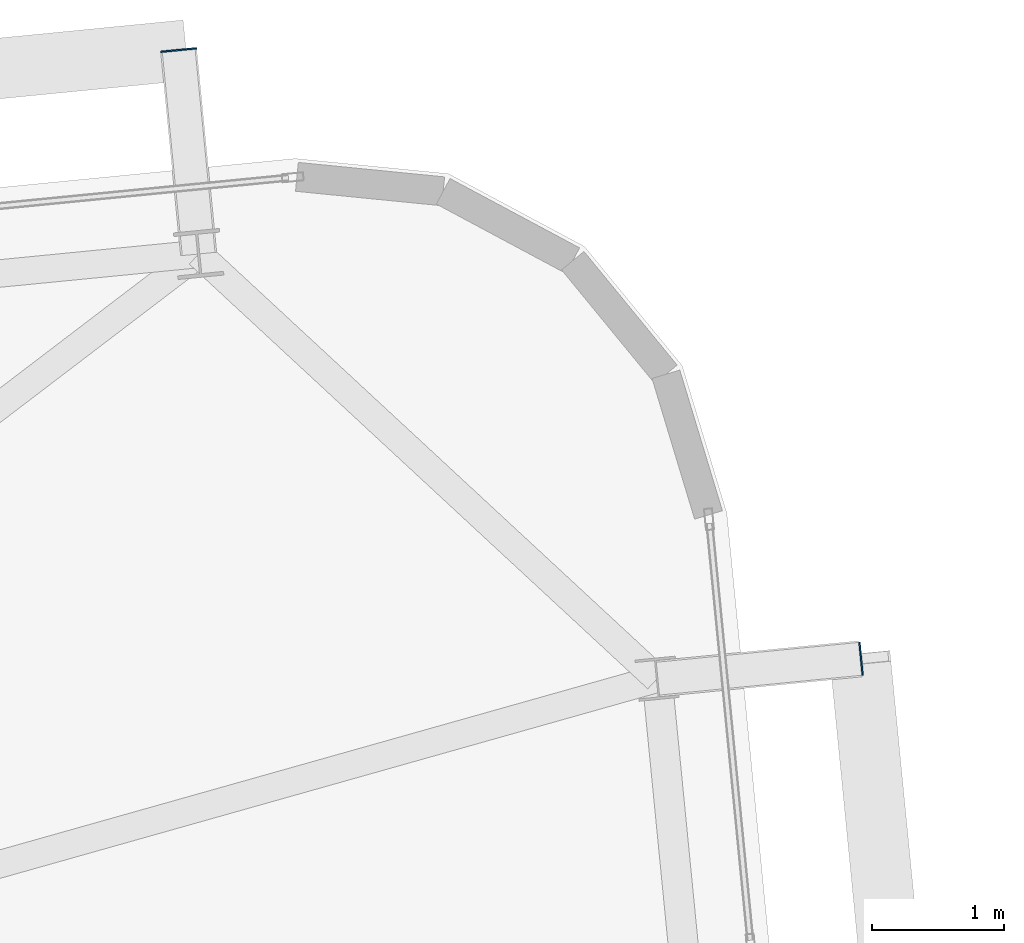
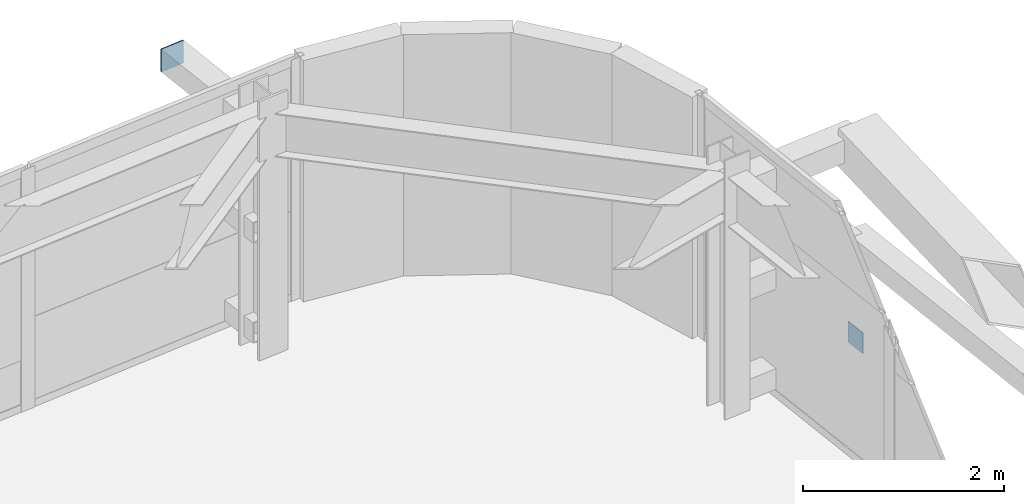
# One storey, part 45 of 53: 2 plates.
"""IFC4 building model written with IfcOpenShell, lengths in metres."""

import ifcopenshell
import ifcopenshell.guid

model = None  # the IFC model being written
_history = None  # IfcOwnerHistory: only IFC2X3 demands one
_inside = {}  # id of a spatial element -> (the spatial element, [elements in it])
_under = {}  # id of a project, library or spatial element -> (it, [spatial elements below it])
_declared = {}  # id of a project -> (the project, [libraries it declares])
_typed = {}  # id of a type object -> (the type object, [elements of that type])
_made_of = {}  # id of a material, layer set ... -> (it, [elements and type objects made of it])


def new_model(schema):
    """Start an empty IFC model of exactly this schema.

    Asked for "IFC4X3", IfcOpenShell would pick the latest addendum, in which some entities
    have other attributes; the version numbers below select the first issue.
    IFC2X3 requires an IfcOwnerHistory on every rooted entity: one is made here for all.
    """
    global model, _history
    if schema == "IFC4X3":
        model = ifcopenshell.file(schema_version=(4, 3, 0, 0))
    else:
        model = ifcopenshell.file(schema=schema)
    _inside.clear()
    _under.clear()
    _declared.clear()
    _typed.clear()
    _made_of.clear()
    _history = None
    if model.schema == "IFC2X3":
        org = make("IfcOrganization", Name="unknown")
        user = make(
            "IfcPersonAndOrganization",
            ThePerson=make("IfcPerson", FamilyName="unknown"),
            TheOrganization=org,
        )
        app = make(
            "IfcApplication",
            ApplicationDeveloper=org,
            Version="unknown",
            ApplicationFullName="unknown",
            ApplicationIdentifier="unknown",
        )
        _history = make(
            "IfcOwnerHistory",
            OwningUser=user,
            OwningApplication=app,
            ChangeAction="ADDED",
            CreationDate=0,
        )
    return model


def make(cls, **values):
    """One entity of the class cls with the attributes given. An attribute that is None is left unset."""
    return model.create_entity(
        cls, **{name: value for name, value in values.items() if value is not None}
    )


def rooted(cls, **values):
    """An entity with a GlobalId (a new one), such as an element, a storey or a relation."""
    return make(cls, GlobalId=ifcopenshell.guid.new(), OwnerHistory=_history, **values)


def si_unit(unit_type, name, prefix=None):
    """IfcSIUnit, for example si_unit("LENGTHUNIT", "METRE", prefix="MILLI")."""
    return make("IfcSIUnit", UnitType=unit_type, Prefix=prefix, Name=name)


def assignment(units):
    """IfcUnitAssignment: the units of a project."""
    return None if units is None else make("IfcUnitAssignment", Units=units)


def point(xyz):
    """IfcCartesianPoint."""
    return None if xyz is None else make("IfcCartesianPoint", Coordinates=xyz)


def direction(xyz):
    """IfcDirection."""
    return None if xyz is None else make("IfcDirection", DirectionRatios=xyz)


def frame(location, z_axis=None, x_axis=None):
    """IfcAxis2Placement3D, a coordinate frame: its origin and axes. An axis left out is left unset."""
    return make(
        "IfcAxis2Placement3D",
        Location=point(location),
        Axis=direction(z_axis),
        RefDirection=direction(x_axis),
    )


def frame_2d(location, x_axis=None):
    """IfcAxis2Placement2D, a coordinate frame in the plane: its origin and x axis."""
    return make(
        "IfcAxis2Placement2D", Location=point(location), RefDirection=direction(x_axis)
    )


def origin():
    """The frame at (0, 0, 0) with its axes left unset."""
    return frame((0.0, 0.0, 0.0))


def origin_2d():
    """The frame at (0, 0) in the plane with its x axis left unset."""
    return frame_2d((0.0, 0.0))


def place(relative_to, where):
    """IfcLocalPlacement: puts the frame where relative to a parent placement (None: the world)."""
    return make(
        "IfcLocalPlacement", PlacementRelTo=relative_to, RelativePlacement=where
    )


def context(
    kind, dimensions, precision=None, world=None, true_north=None, identifier=None
):
    """IfcGeometricRepresentationContext, for example the 3D "Model" context."""
    return make(
        "IfcGeometricRepresentationContext",
        ContextIdentifier=identifier,
        ContextType=kind,
        CoordinateSpaceDimension=dimensions,
        Precision=precision,
        WorldCoordinateSystem=world,
        TrueNorth=true_north,
    )


def subcontext(parent, identifier, kind, view, scale=None):
    """IfcGeometricRepresentationSubContext, for example "Body" below "Model"."""
    return make(
        "IfcGeometricRepresentationSubContext",
        ContextIdentifier=identifier,
        ContextType=kind,
        ParentContext=parent,
        TargetScale=scale,
        TargetView=view,
    )


def project(units=None, contexts=None):
    """IfcProject with its units and contexts."""
    return rooted(
        "IfcProject",
        Name="project",
        RepresentationContexts=contexts,
        UnitsInContext=assignment(units),
    )


def spatial(cls, under=None, at=None, **own):
    """A site, building, storey or space (cls), placed at a placement, below another one or the project."""
    s = rooted(cls, ObjectPlacement=at, **own)
    if under is not None:
        _under.setdefault(under.id(), (under, []))[1].append(s)
    return s


def profile(cls, at=None, kind="AREA", **sizes):
    """A parametric profile (cls). Its sizes go by their IFC names, for example OverallWidth=200.0."""
    return make(cls, ProfileType=kind, Position=at, **sizes)


def rectangle(**sizes):
    """IfcRectangleProfileDef."""
    return profile("IfcRectangleProfileDef", **sizes)


def extrude(swept, where, along, depth):
    """IfcExtrudedAreaSolid: the profile swept, set in the frame where, extruded along a direction by depth."""
    return make(
        "IfcExtrudedAreaSolid",
        SweptArea=swept,
        Position=where,
        ExtrudedDirection=direction(along),
        Depth=depth,
    )


def shape(context_of_items, identifier, shape_type, items):
    """IfcShapeRepresentation: the items that make up one representation, for example the "Body"."""
    return make(
        "IfcShapeRepresentation",
        ContextOfItems=context_of_items,
        RepresentationIdentifier=identifier,
        RepresentationType=shape_type,
        Items=items,
    )


def source(mapping_origin, context_of_items, identifier, shape_type, items):
    """IfcRepresentationMap: a shape defined once, which mapped items show again and again."""
    return make(
        "IfcRepresentationMap",
        MappingOrigin=mapping_origin,
        MappedRepresentation=shape(context_of_items, identifier, shape_type, items),
    )


def transform(
    local_origin,
    x_axis=None,
    y_axis=None,
    z_axis=None,
    scale=None,
    scale2=None,
    scale3=None,
    uniform=True,
):
    """IfcCartesianTransformationOperator3D, or its non-uniform kind. x_axis, y_axis, z_axis: its Axis1, 2, 3."""
    if uniform:
        return make(
            "IfcCartesianTransformationOperator3D",
            Axis1=direction(x_axis),
            Axis2=direction(y_axis),
            LocalOrigin=point(local_origin),
            Scale=scale,
            Axis3=direction(z_axis),
        )
    return make(
        "IfcCartesianTransformationOperator3DnonUniform",
        Axis1=direction(x_axis),
        Axis2=direction(y_axis),
        LocalOrigin=point(local_origin),
        Scale=scale,
        Axis3=direction(z_axis),
        Scale2=scale2,
        Scale3=scale3,
    )


def mapped(mapping_source, mapping_target):
    """IfcMappedItem: shows the shape of a source again, moved by a transform."""
    return make(
        "IfcMappedItem", MappingSource=mapping_source, MappingTarget=mapping_target
    )


def material(Name=None, Category=None):
    """IfcMaterial."""
    return make("IfcMaterial", Name=Name, Category=Category)


def layer(
    of_material, thickness, ventilated=None, Name=None, Category=None, Priority=None
):
    """IfcMaterialLayer: one layer of a wall or slab, of a material (None: an air gap)."""
    return make(
        "IfcMaterialLayer",
        Material=of_material,
        LayerThickness=thickness,
        IsVentilated=ventilated,
        Name=Name,
        Category=Category,
        Priority=Priority,
    )


def layer_set(layers, Name=None):
    """IfcMaterialLayerSet."""
    return make("IfcMaterialLayerSet", MaterialLayers=layers, LayerSetName=Name)


def made_of(thing, what):
    """Note that an element or type object is made of a material, layer set ...; save() writes the relation."""
    if what is not None:
        _made_of.setdefault(what.id(), (what, []))[1].append(thing)
    return thing


def type_object(cls, material=None, **own):
    """A type object (cls), such as IfcWallType, which elements share."""
    return made_of(rooted(cls, **own), material)


def element(
    cls,
    number,
    at=None,
    inside=None,
    cuts=None,
    type_object=None,
    material=None,
    context=None,
    identifier="Body",
    shape_type=None,
    held_by="IfcProductDefinitionShape",
    body=None,
    shapes=None,
    **own,
):
    """One element of the class cls, such as IfcWall. Its Tag is "e" and its number.

    at: its placement. inside: the storey or other place that contains it. cuts: it is an
    opening in that element (IfcRelVoidsElement). A single representation is given by context,
    identifier, shape_type and body (its items); several are given by shapes. held_by: the class
    of the entity that holds the representations. save() writes the other relations.
    """
    e = rooted(cls, Tag="e%d" % number, ObjectPlacement=at, **own)
    if body is not None:
        shapes = [shape(context, identifier, shape_type, body)]
    if shapes is not None:
        e.Representation = make(held_by, Representations=shapes)
    if inside is not None:
        _inside.setdefault(inside.id(), (inside, []))[1].append(e)
    if cuts is not None:
        rooted(
            "IfcRelVoidsElement", RelatingBuildingElement=cuts, RelatedOpeningElement=e
        )
    if type_object is not None:
        _typed.setdefault(type_object.id(), (type_object, []))[1].append(e)
    return made_of(e, material)


def aggregate(whole, parts):
    """IfcRelAggregates: a whole, such as a stair, and the parts it consists of."""
    return rooted("IfcRelAggregates", RelatingObject=whole, RelatedObjects=parts)


def save(model, path):
    """Write the relations noted so far, then the file.

    IfcRelAggregates (storeys below a building ...), IfcRelContainedInSpatialStructure (elements
    in a storey), IfcRelDefinesByType, IfcRelAssociatesMaterial and IfcRelDeclares: one each for
    every whole, place, type object, material and project.
    """
    for whole, parts in _under.values():
        aggregate(whole, parts)
    for where, things in _inside.values():
        rooted(
            "IfcRelContainedInSpatialStructure",
            RelatedElements=things,
            RelatingStructure=where,
        )
    for kind, things in _typed.values():
        rooted("IfcRelDefinesByType", RelatedObjects=things, RelatingType=kind)
    for what, things in _made_of.values():
        rooted("IfcRelAssociatesMaterial", RelatedObjects=things, RelatingMaterial=what)
    for by, libraries in _declared.values():
        rooted("IfcRelDeclares", RelatingContext=by, RelatedDefinitions=libraries)
    model.write(path)


model = new_model("IFC4")

# Units and contexts
model_context = context("Model", 3, precision=1e-05, world=origin(), true_north=direction((0.0, 1.0)))
body_context = subcontext(model_context, "Body", "Model", "MODEL_VIEW")
ifc_project = project(units=[si_unit("LENGTHUNIT", "METRE"), si_unit("AREAUNIT", "SQUARE_METRE"), si_unit("VOLUMEUNIT", "CUBIC_METRE"), si_unit("PLANEANGLEUNIT", "RADIAN"), si_unit("MASSUNIT", "GRAM", prefix="KILO")], contexts=[model_context])

# Site, building, storey
site_placement = place(None, origin())
site = spatial("IfcSite", under=ifc_project, at=site_placement, CompositionType="ELEMENT")
building_placement = place(site_placement, origin())
building = spatial("IfcBuilding", under=site, at=building_placement, Name="Taldren Reach Tower", CompositionType="ELEMENT")
storey_placement = place(building_placement, frame((0.0, 0.0, 71.39990234375)))
storey = spatial("IfcBuildingStorey", under=building, at=storey_placement, Name="L21", CompositionType="ELEMENT", Elevation=71.39990234375)

# Plates
ifc_material_1 = material(Name="Steel Gr 450 (C450L0)", Category="steel")
ifc_layer_1 = layer(ifc_material_1, 0.011962890625)
ifc_layer_set_1 = layer_set([ifc_layer_1], Name="Steel Gr 450 (C450L0)")
plate_type_1 = type_object("IfcPlateType", Name="PL-CAP-275", PredefinedType="SHEET", material=ifc_layer_set_1)
shared_shape_1 = source(origin(), body_context, "Body", "SweptSolid", [
    extrude(rectangle(XDim=0.27490234375, YDim=0.011962890625, at=origin_2d()), origin(), (0.0, 0.0, 1.0), 0.27490234375),
])
plate_1_placement = place(storey_placement, frame((59.614013671875, 40.228515625, 2.5126953125), z_axis=(0.0, 0.0, 1.0), x_axis=(0.995227399982, 0.097582899759, 0.0)))
element("IfcPlate", 1, at=plate_1_placement, inside=storey, type_object=plate_type_1, Name="Tie strut end cap plate B2-N6 L21", PredefinedType="SHEET", context=body_context, shape_type="MappedRepresentation", body=[
    mapped(shared_shape_1, transform((0.0, 0.0, 0.0), scale=1.0)),
])
ifc_material_2 = material(Name="Steel Gr 350 (C350L0)", Category="steel")
ifc_layer_2 = layer(ifc_material_2, 0.011962890625)
ifc_layer_set_2 = layer_set([ifc_layer_2], Name="Steel Gr 350 (C350L0)")
plate_type_2 = type_object("IfcPlateType", Name="PL-CAP-250", PredefinedType="SHEET", material=ifc_layer_set_2)
shared_shape_2 = source(origin(), body_context, "Body", "SweptSolid", [
    extrude(rectangle(XDim=0.011962890625, YDim=0.25, at=origin_2d()), origin(), (0.0, 0.0, 1.0), 0.25),
])
plate_2_placement = place(storey_placement, frame((64.7958984375, 35.60595703125, 0.09521484375), z_axis=(0.0, 0.0, 1.0), x_axis=(0.995227399982, 0.097582899759, 0.0)))
element("IfcPlate", 2, at=plate_2_placement, inside=storey, type_object=plate_type_2, Name="Tie strut end cap plate B2-E3 L21", PredefinedType="SHEET", context=body_context, shape_type="MappedRepresentation", body=[
    mapped(shared_shape_2, transform((0.0, 0.0, 0.0), scale=1.0)),
])

save(model, "model.ifc")
